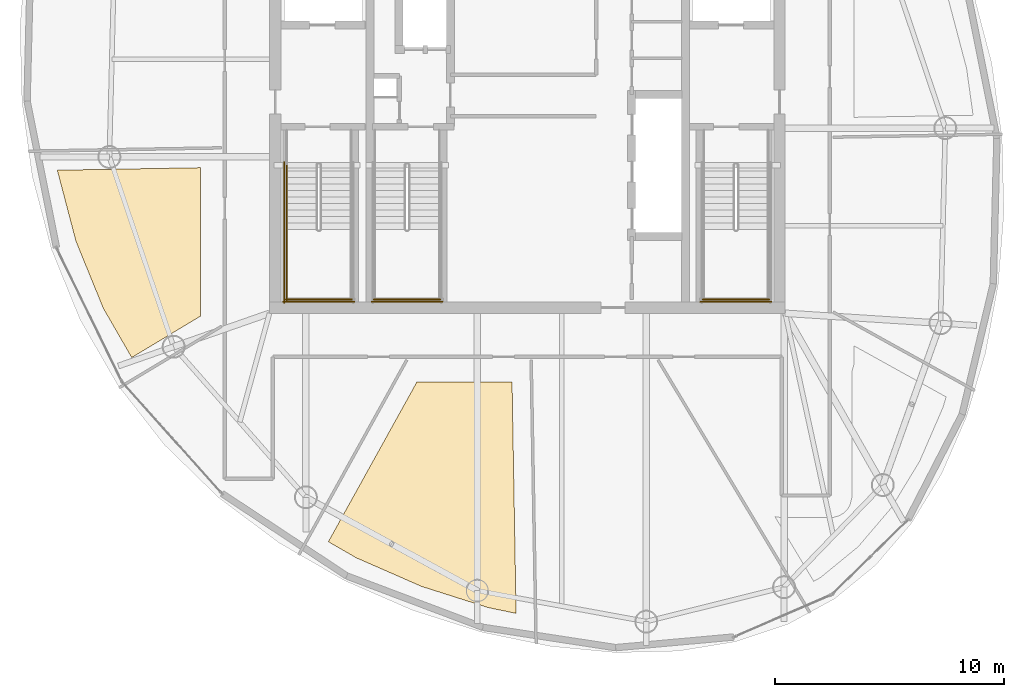
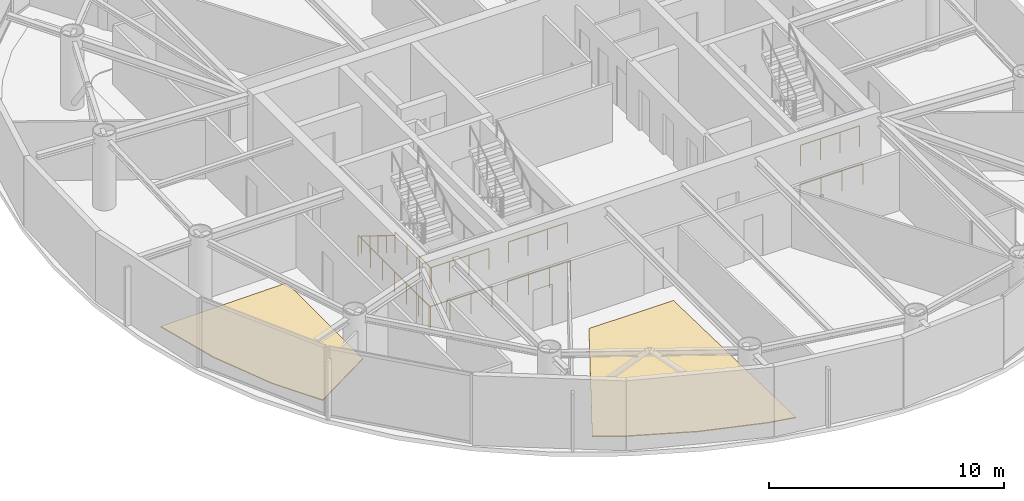
# One storey, part 19 of 21: 9 railings, 2 coverings.
"""IFC4 building model written with IfcOpenShell, lengths in metres."""

from ifc_helpers import new_model, si_unit, direction, frame, origin, origin_2d, place, context, subcontext, project, spatial, polyline, circle, outline, extrude, material, layer, layer_set, type_object, element, save


model = new_model("IFC4")

# Units and contexts
model_context = context("Model", 3, precision=1e-05, world=origin(), true_north=direction((0.0, 1.0)))
body_context = subcontext(model_context, "Body", "Model", "MODEL_VIEW")
ifc_project = project(units=[si_unit("LENGTHUNIT", "METRE"), si_unit("AREAUNIT", "SQUARE_METRE"), si_unit("VOLUMEUNIT", "CUBIC_METRE"), si_unit("PLANEANGLEUNIT", "RADIAN"), si_unit("MASSUNIT", "GRAM", prefix="KILO")], contexts=[model_context])

# Site, building, storey
site_placement = place(None, origin())
site = spatial("IfcSite", under=ifc_project, at=site_placement, CompositionType="ELEMENT")
building_placement = place(site_placement, origin())
building = spatial("IfcBuilding", under=site, at=building_placement, Name="Bramvorn Convention Spire", CompositionType="ELEMENT")
storey_placement = place(building_placement, frame((0.0, 0.0, 257.449951171875)))
storey = spatial("IfcBuildingStorey", under=building, at=storey_placement, Name="L65", CompositionType="ELEMENT", Elevation=257.449951171875)

# Coverings
ifc_material_1 = material(Name="Calcium-Sulphate Raised Access Office Floor", Category="steel")
ifc_layer = layer(ifc_material_1, 0.044921875)
ifc_layer_set = layer_set([ifc_layer], Name="Calcium-Sulphate Raised Access Office Floor - FLR-RAISED-45")
covering_type = type_object("IfcCoveringType", Name="FLR-RAISED-45", PredefinedType="FLOORING", material=ifc_layer_set)
covering_1_placement = place(storey_placement, origin())
element("IfcCovering", 1, at=covering_1_placement, inside=storey, type_object=covering_type, Name="L65 Arbitration Meeting Room 1 7 raised floor finish", PredefinedType="FLOORING", context=body_context, shape_type="SweptSolid", body=[
    extrude(outline(polyline([(20.738525390625, 16.619873046875), (23.75, 18.429443359375), (23.75, 24.901123046875), (17.4931640625, 24.7919921875), (18.3056640625, 21.695068359375), (19.49658203125, 18.77294921875), (20.738525390625, 16.619873046875)])), origin(), (0.0, 0.0, 1.0), 0.045166015625),
])
covering_2_placement = place(storey_placement, origin())
element("IfcCovering", 2, at=covering_2_placement, inside=storey, type_object=covering_type, Name="L65 Case File Store 9 raised floor finish", PredefinedType="FLOORING", context=body_context, shape_type="SweptSolid", body=[
    extrude(outline(polyline([(36.284912109375, 5.710693359375), (37.508544921875, 5.456787109375), (37.332275390625, 15.550048828125), (33.17919921875, 15.550048828125), (29.3173828125, 8.583251953125), (30.527587890625, 7.88427734375), (33.38623046875, 6.63232421875), (36.284912109375, 5.710693359375)])), origin(), (0.0, 0.0, 1.0), 0.045166015625),
])

# Railings
ifc_material_2 = material(Name="Painted Steel Balustrade & Guardrail", Category="steel")
railing_type_1 = type_object("IfcRailingType", Name="RL-STAIR-GUARD-1100", PredefinedType="GUARDRAIL", material=ifc_material_2)
railing_1_placement = place(storey_placement, frame((27.5, 22.199951171875, 1.925048828125)))
element("IfcRailing", 3, at=railing_1_placement, inside=storey, type_object=railing_type_1, Name="L65 ST1 stair guard 3", PredefinedType="GUARDRAIL", context=body_context, shape_type="SweptSolid", body=[
    extrude(circle(Radius=0.02392578125, at=origin_2d()), frame((0.0, 0.0, 1.076171875), z_axis=(0.0, -1.0, 0.0), x_axis=(1.0, 0.0, 0.0)), (0.0, 0.0, 1.0), 3.099853515625),
    extrude(circle(Radius=0.02099609375, at=origin_2d()), origin(), (0.0, 0.0, 1.0), 1.052001953125),
    extrude(circle(Radius=0.02099609375, at=origin_2d()), frame((0.0, -1.033203125, 0.0)), (0.0, 0.0, 1.0), 1.052001953125),
    extrude(circle(Radius=0.02099609375, at=origin_2d()), frame((0.0, -2.066650390625, 0.0)), (0.0, 0.0, 1.0), 1.052001953125),
    extrude(circle(Radius=0.02099609375, at=origin_2d()), frame((0.0, -3.099853515625, 0.0)), (0.0, 0.0, 1.0), 1.052001953125),
])
railing_2_placement = place(storey_placement, frame((27.449951171875, 19.14990234375, 1.925048828125)))
element("IfcRailing", 4, at=railing_2_placement, inside=storey, type_object=railing_type_1, Name="L65 ST1 stair guard 5", PredefinedType="GUARDRAIL", context=body_context, shape_type="SweptSolid", body=[
    extrude(circle(Radius=0.02392578125, at=origin_2d()), frame((0.0, 0.0, 1.076171875), z_axis=(1.0, 0.0, 0.0), x_axis=(0.0, 1.0, 0.0)), (0.0, 0.0, 1.0), 2.900146484375),
    extrude(circle(Radius=0.02099609375, at=origin_2d()), origin(), (0.0, 0.0, 1.0), 1.052001953125),
    extrude(circle(Radius=0.02099609375, at=origin_2d()), frame((0.966796875, 0.0, 0.0)), (0.0, 0.0, 1.0), 1.052001953125),
    extrude(circle(Radius=0.02099609375, at=origin_2d()), frame((1.933349609375, 0.0, 0.0)), (0.0, 0.0, 1.0), 1.052001953125),
    extrude(circle(Radius=0.02099609375, at=origin_2d()), frame((2.900146484375, 0.0, 0.0)), (0.0, 0.0, 1.0), 1.052001953125),
])
railing_3_placement = place(storey_placement, frame((27.39990234375, 25.14990234375, 0.0)))
element("IfcRailing", 5, at=railing_3_placement, inside=storey, type_object=railing_type_1, Name="L65 ST1 stair guard 10", PredefinedType="GUARDRAIL", context=body_context, shape_type="SweptSolid", body=[
    extrude(circle(Radius=0.02392578125, at=origin_2d()), frame((0.0, 0.0, 1.076171875), z_axis=(0.0, -1.0, 0.0), x_axis=(1.0, 0.0, 0.0)), (0.0, 0.0, 1.0), 6.14990234375),
    extrude(circle(Radius=0.02099609375, at=origin_2d()), origin(), (0.0, 0.0, 1.0), 1.052001953125),
    extrude(circle(Radius=0.02099609375, at=origin_2d()), frame((0.0, -1.02490234375, 0.0)), (0.0, 0.0, 1.0), 1.052001953125),
    extrude(circle(Radius=0.02099609375, at=origin_2d()), frame((0.0, -2.050048828125, 0.0)), (0.0, 0.0, 1.0), 1.052001953125),
    extrude(circle(Radius=0.02099609375, at=origin_2d()), frame((0.0, -3.074951171875, 0.0)), (0.0, 0.0, 1.0), 1.052001953125),
    extrude(circle(Radius=0.02099609375, at=origin_2d()), frame((0.0, -4.099853515625, 0.0)), (0.0, 0.0, 1.0), 1.052001953125),
    extrude(circle(Radius=0.02099609375, at=origin_2d()), frame((0.0, -5.125, 0.0)), (0.0, 0.0, 1.0), 1.052001953125),
    extrude(circle(Radius=0.02099609375, at=origin_2d()), frame((0.0, -6.14990234375, 0.0)), (0.0, 0.0, 1.0), 1.052001953125),
])
railing_4_placement = place(storey_placement, frame((27.35009765625, 19.050048828125, 0.0)))
element("IfcRailing", 6, at=railing_4_placement, inside=storey, type_object=railing_type_1, Name="L65 ST1 stair guard 12", PredefinedType="GUARDRAIL", context=body_context, shape_type="SweptSolid", body=[
    extrude(circle(Radius=0.02392578125, at=origin_2d()), frame((0.0, 0.0, 1.076171875), z_axis=(1.0, 0.0, 0.0), x_axis=(0.0, 1.0, 0.0)), (0.0, 0.0, 1.0), 3.099853515625),
    extrude(circle(Radius=0.02099609375, at=origin_2d()), origin(), (0.0, 0.0, 1.0), 1.052001953125),
    extrude(circle(Radius=0.02099609375, at=origin_2d()), frame((1.033203125, 0.0, 0.0)), (0.0, 0.0, 1.0), 1.052001953125),
    extrude(circle(Radius=0.02099609375, at=origin_2d()), frame((2.066650390625, 0.0, 0.0)), (0.0, 0.0, 1.0), 1.052001953125),
    extrude(circle(Radius=0.02099609375, at=origin_2d()), frame((3.099853515625, 0.0, 0.0)), (0.0, 0.0, 1.0), 1.052001953125),
])
railing_5_placement = place(storey_placement, frame((45.64990234375, 19.14990234375, 1.925048828125)))
element("IfcRailing", 7, at=railing_5_placement, inside=storey, type_object=railing_type_1, Name="L65 ST2 stair guard 5", PredefinedType="GUARDRAIL", context=body_context, shape_type="SweptSolid", body=[
    extrude(circle(Radius=0.02392578125, at=origin_2d()), frame((0.0, 0.0, 1.076171875), z_axis=(1.0, 0.0, 0.0), x_axis=(0.0, 1.0, 0.0)), (0.0, 0.0, 1.0), 2.900146484375),
    extrude(circle(Radius=0.02099609375, at=origin_2d()), origin(), (0.0, 0.0, 1.0), 1.052001953125),
    extrude(circle(Radius=0.02099609375, at=origin_2d()), frame((0.966796875, 0.0, 0.0)), (0.0, 0.0, 1.0), 1.052001953125),
    extrude(circle(Radius=0.02099609375, at=origin_2d()), frame((1.933349609375, 0.0, 0.0)), (0.0, 0.0, 1.0), 1.052001953125),
    extrude(circle(Radius=0.02099609375, at=origin_2d()), frame((2.900146484375, 0.0, 0.0)), (0.0, 0.0, 1.0), 1.052001953125),
])
railing_6_placement = place(storey_placement, frame((45.550048828125, 19.050048828125, 0.0)))
element("IfcRailing", 8, at=railing_6_placement, inside=storey, type_object=railing_type_1, Name="L65 ST2 stair guard 12", PredefinedType="GUARDRAIL", context=body_context, shape_type="SweptSolid", body=[
    extrude(circle(Radius=0.02392578125, at=origin_2d()), frame((0.0, 0.0, 1.076171875), z_axis=(1.0, 0.0, 0.0), x_axis=(0.0, 1.0, 0.0)), (0.0, 0.0, 1.0), 3.099853515625),
    extrude(circle(Radius=0.02099609375, at=origin_2d()), origin(), (0.0, 0.0, 1.0), 1.052001953125),
    extrude(circle(Radius=0.02099609375, at=origin_2d()), frame((1.033203125, 0.0, 0.0)), (0.0, 0.0, 1.0), 1.052001953125),
    extrude(circle(Radius=0.02099609375, at=origin_2d()), frame((2.066650390625, 0.0, 0.0)), (0.0, 0.0, 1.0), 1.052001953125),
    extrude(circle(Radius=0.02099609375, at=origin_2d()), frame((3.099853515625, 0.0, 0.0)), (0.0, 0.0, 1.0), 1.052001953125),
])
railing_7_placement = place(storey_placement, frame((31.300048828125, 19.14990234375, 1.925048828125)))
element("IfcRailing", 9, at=railing_7_placement, inside=storey, type_object=railing_type_1, Name="L65 ST3 stair guard 5", PredefinedType="GUARDRAIL", context=body_context, shape_type="SweptSolid", body=[
    extrude(circle(Radius=0.02392578125, at=origin_2d()), frame((0.0, 0.0, 1.076171875), z_axis=(1.0, 0.0, 0.0), x_axis=(0.0, 1.0, 0.0)), (0.0, 0.0, 1.0), 2.89990234375),
    extrude(circle(Radius=0.02099609375, at=origin_2d()), origin(), (0.0, 0.0, 1.0), 1.052001953125),
    extrude(circle(Radius=0.02099609375, at=origin_2d()), frame((0.966552734375, 0.0, 0.0)), (0.0, 0.0, 1.0), 1.052001953125),
    extrude(circle(Radius=0.02099609375, at=origin_2d()), frame((1.933349609375, 0.0, 0.0)), (0.0, 0.0, 1.0), 1.052001953125),
    extrude(circle(Radius=0.02099609375, at=origin_2d()), frame((2.89990234375, 0.0, 0.0)), (0.0, 0.0, 1.0), 1.052001953125),
])
railing_8_placement = place(storey_placement, frame((31.199951171875, 19.050048828125, 0.0)))
element("IfcRailing", 10, at=railing_8_placement, inside=storey, type_object=railing_type_1, Name="L65 ST3 stair guard 12", PredefinedType="GUARDRAIL", context=body_context, shape_type="SweptSolid", body=[
    extrude(circle(Radius=0.02392578125, at=origin_2d()), frame((0.0, 0.0, 1.076171875), z_axis=(1.0, 0.0, 0.0), x_axis=(0.0, 1.0, 0.0)), (0.0, 0.0, 1.0), 3.10009765625),
    extrude(circle(Radius=0.02099609375, at=origin_2d()), origin(), (0.0, 0.0, 1.0), 1.052001953125),
    extrude(circle(Radius=0.02099609375, at=origin_2d()), frame((1.033447265625, 0.0, 0.0)), (0.0, 0.0, 1.0), 1.052001953125),
    extrude(circle(Radius=0.02099609375, at=origin_2d()), frame((2.066650390625, 0.0, 0.0)), (0.0, 0.0, 1.0), 1.052001953125),
    extrude(circle(Radius=0.02099609375, at=origin_2d()), frame((3.10009765625, 0.0, 0.0)), (0.0, 0.0, 1.0), 1.052001953125),
])
ifc_material_3 = material(Name="Brushed Bronze Tubular Handrail", Category="aluminium")
railing_type_2 = type_object("IfcRailingType", Name="RL-STAIR-HR-920", PredefinedType="HANDRAIL", material=ifc_material_3)
railing_9_placement = place(storey_placement, frame((27.5, 25.050048828125, 0.175048828125)))
element("IfcRailing", 11, at=railing_9_placement, inside=storey, type_object=railing_type_2, Name="L65 ST1 stair handrail 1", PredefinedType="HANDRAIL", context=body_context, shape_type="SweptSolid", body=[
    extrude(circle(Radius=0.02392578125, at=origin_2d()), frame((0.0, 0.0, 0.89599609375), z_axis=(0.0, -0.852179220489, 0.52325001306), x_axis=(1.0, 0.0, 0.0)), (0.0, 0.0, 1.0), 3.344482421875),
    extrude(circle(Radius=0.02099609375, at=origin_2d()), origin(), (0.0, 0.0, 1.0), 0.871826171875),
    extrude(circle(Radius=0.02099609375, at=origin_2d()), frame((0.0, -0.71240234375, 0.4375)), (0.0, 0.0, 1.0), 0.871826171875),
    extrude(circle(Radius=0.02099609375, at=origin_2d()), frame((0.0, -1.425048828125, 0.875)), (0.0, 0.0, 1.0), 0.871826171875),
    extrude(circle(Radius=0.02099609375, at=origin_2d()), frame((0.0, -2.1376953125, 1.3125)), (0.0, 0.0, 1.0), 0.871826171875),
    extrude(circle(Radius=0.02099609375, at=origin_2d()), frame((0.0, -2.85009765625, 1.75)), (0.0, 0.0, 1.0), 0.871826171875),
])

save(model, "model.ifc")
